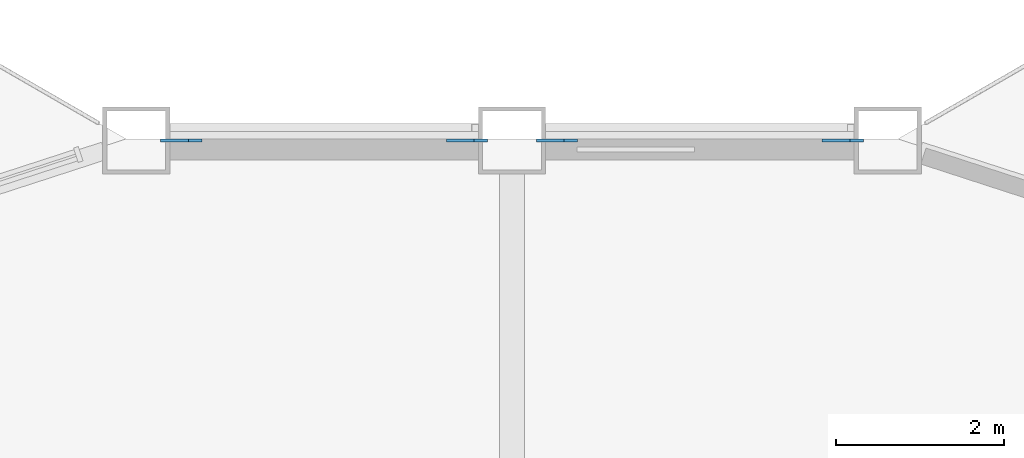
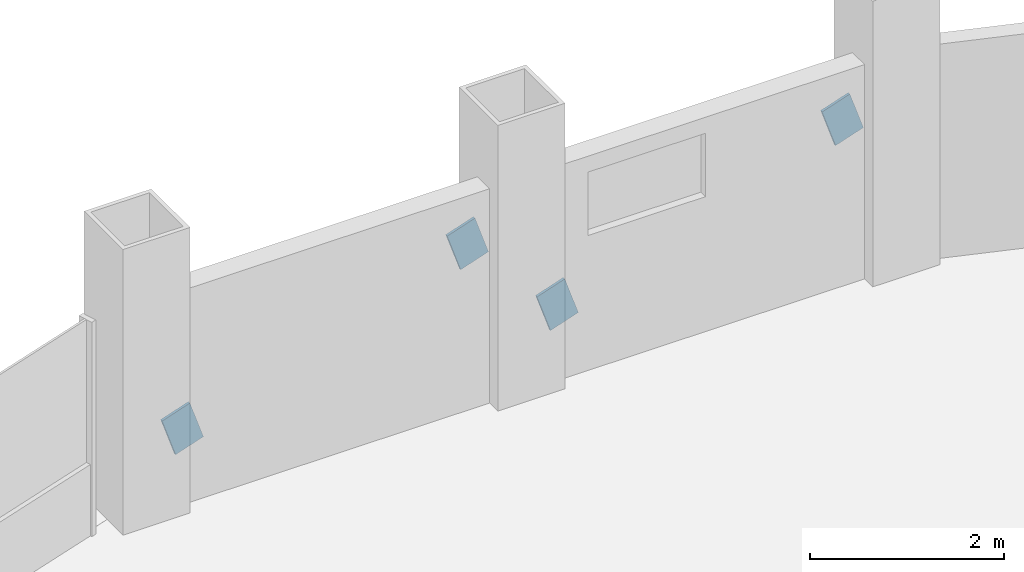
# One storey, part 18 of 23: 4 discrete accessories.
"""IFC4 building model written with IfcOpenShell, lengths in metres."""

from ifc_helpers import new_model, si_unit, direction, frame, origin, origin_2d, place, context, subcontext, project, spatial, rectangle, extrude, material, material_profile, profile_set, type_object, element, save


model = new_model("IFC4")

# Units and contexts
model_context = context("Model", 3, precision=1e-05, world=origin(), true_north=direction((0.0, 1.0)))
body_context = subcontext(model_context, "Body", "Model", "MODEL_VIEW")
ifc_project = project(units=[si_unit("LENGTHUNIT", "METRE"), si_unit("AREAUNIT", "SQUARE_METRE"), si_unit("VOLUMEUNIT", "CUBIC_METRE"), si_unit("PLANEANGLEUNIT", "RADIAN"), si_unit("MASSUNIT", "GRAM", prefix="KILO")], contexts=[model_context])

# Site, building, storey
site_placement = place(None, origin())
site = spatial("IfcSite", under=ifc_project, at=site_placement, CompositionType="ELEMENT")
building_placement = place(site_placement, origin())
building = spatial("IfcBuilding", under=site, at=building_placement, Name="Cormorant Prow Tower", CompositionType="ELEMENT")
storey_placement = place(building_placement, frame((0.0, 0.0, 212.39990234375)))
storey = spatial("IfcBuildingStorey", under=building, at=storey_placement, Name="L47", CompositionType="ELEMENT", Elevation=212.39990234375)

# Discrete accessories
ifc_material = material(Name="Structural steel ASTM A500 Gr C", Category="steel")
ifc_material_profile = material_profile(ifc_material, rectangle(XDim=0.031982421875, YDim=0.506103515625, at=origin_2d()), Name="Gusset plate 32x506")
ifc_profile_set = profile_set([ifc_material_profile], Name="Structural steel ASTM A500 Gr C")
discrete_accessory_type = type_object("IfcDiscreteAccessoryType", Name="Gusset plate 32x506", PredefinedType="BRACKET", material=ifc_profile_set)
discrete_accessory_1_placement = place(storey_placement, frame((0.701416015625, 32.3994140625, 0.835693359375), z_axis=(-0.947843027885, 0.0, -0.318737500915), x_axis=(0.0, -1.0, 0.0)))
element("IfcDiscreteAccessory", 1, at=discrete_accessory_1_placement, inside=storey, type_object=discrete_accessory_type, Name="Gusset plate GP2 L47.N00.g0", PredefinedType="BRACKET", context=body_context, shape_type="SweptSolid", body=[
    extrude(rectangle(XDim=0.031982421875, YDim=0.506103515625, at=origin_2d()), origin(), (0.0, 0.0, 1.0), 0.35009765625),
])
discrete_accessory_2_placement = place(storey_placement, frame((3.768798828125, 32.3994140625, 1.865478515625), z_axis=(0.948053578163, 0.0, 0.318110692893), x_axis=(0.0, 1.0, 0.0)))
element("IfcDiscreteAccessory", 2, at=discrete_accessory_2_placement, inside=storey, type_object=discrete_accessory_type, Name="Gusset plate GP2 L47.N00.g1", PredefinedType="BRACKET", context=body_context, shape_type="SweptSolid", body=[
    extrude(rectangle(XDim=0.031982421875, YDim=0.506103515625, at=origin_2d()), origin(), (0.0, 0.0, 1.0), 0.349853515625),
])
discrete_accessory_3_placement = place(storey_placement, frame((-3.768798828125, 32.3994140625, 0.835693359375), z_axis=(-0.947843027885, 0.0, -0.318737500915), x_axis=(0.0, -1.0, 0.0)))
element("IfcDiscreteAccessory", 3, at=discrete_accessory_3_placement, inside=storey, type_object=discrete_accessory_type, Name="Gusset plate GP2 L47.N01.g0", PredefinedType="BRACKET", context=body_context, shape_type="SweptSolid", body=[
    extrude(rectangle(XDim=0.031982421875, YDim=0.506103515625, at=origin_2d()), origin(), (0.0, 0.0, 1.0), 0.35009765625),
])
discrete_accessory_4_placement = place(storey_placement, frame((-0.701416015625, 32.3994140625, 1.865478515625), z_axis=(0.948053578163, 0.0, 0.318110692893), x_axis=(0.0, 1.0, 0.0)))
element("IfcDiscreteAccessory", 4, at=discrete_accessory_4_placement, inside=storey, type_object=discrete_accessory_type, Name="Gusset plate GP2 L47.N01.g1", PredefinedType="BRACKET", context=body_context, shape_type="SweptSolid", body=[
    extrude(rectangle(XDim=0.031982421875, YDim=0.506103515625, at=origin_2d()), origin(), (0.0, 0.0, 1.0), 0.349853515625),
])

save(model, "model.ifc")
